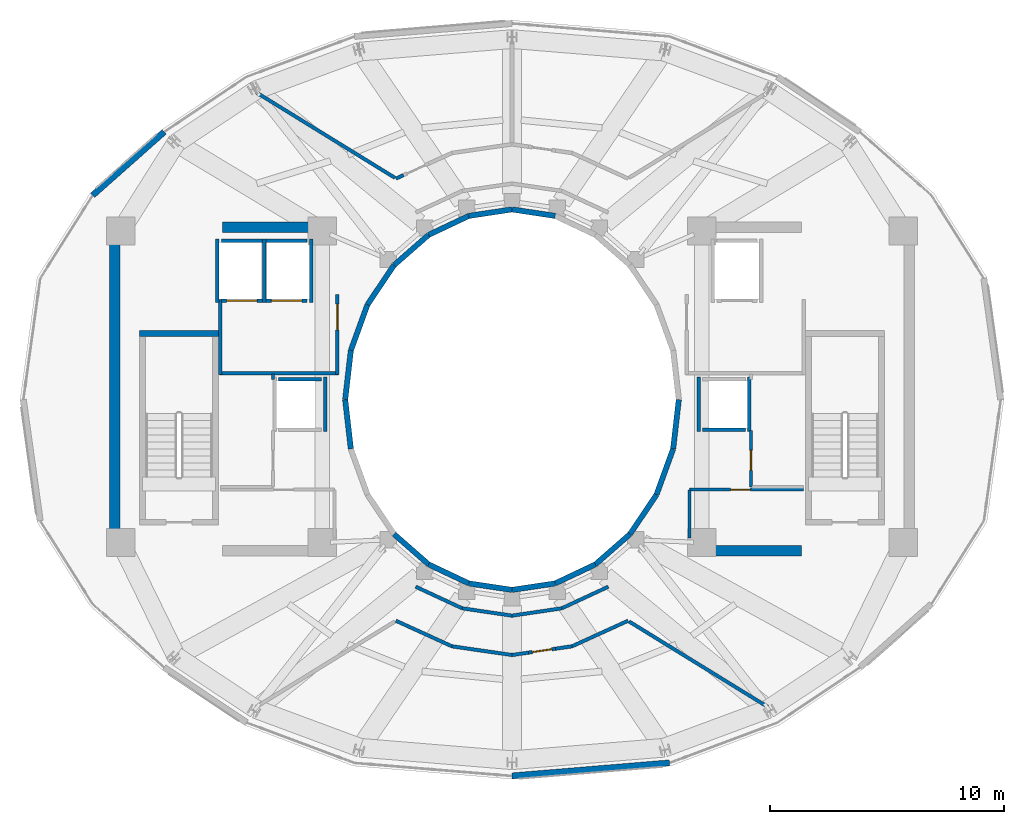
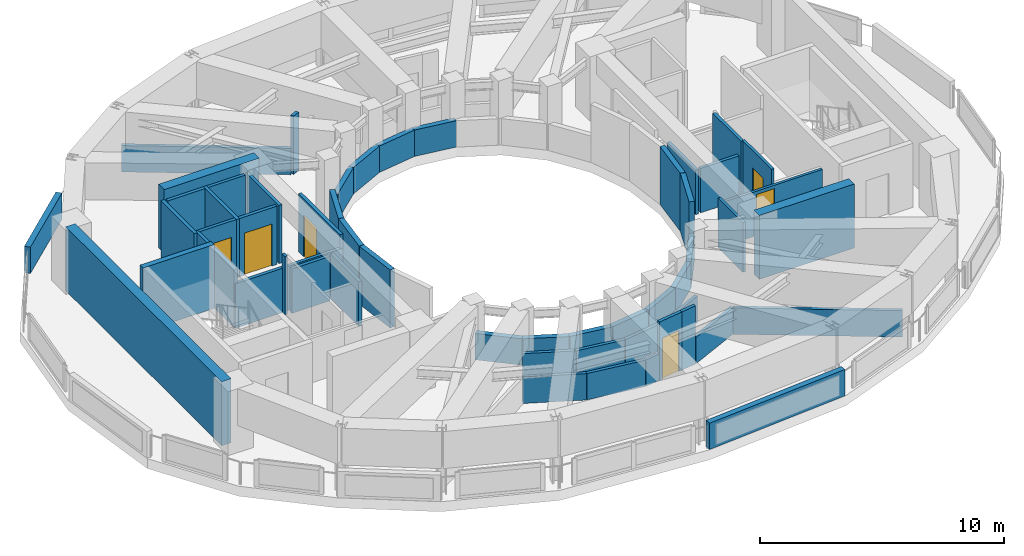
# One storey, part 16 of 21: 55 walls, 6 doors, 6 openings.
"""IFC4 building model written with IfcOpenShell, lengths in metres."""

from ifc_helpers import new_model, si_unit, direction, frame, frame_2d, origin, place, context, subcontext, project, spatial, rectangle, extrude, material, layer, layer_set, type_object, element, fill, save


model = new_model("IFC4")

# Units and contexts
model_context = context("Model", 3, precision=1e-05, world=origin(), true_north=direction((0.0, 1.0)))
body_context = subcontext(model_context, "Body", "Model", "MODEL_VIEW")
ifc_project = project(units=[si_unit("LENGTHUNIT", "METRE"), si_unit("AREAUNIT", "SQUARE_METRE"), si_unit("VOLUMEUNIT", "CUBIC_METRE"), si_unit("PLANEANGLEUNIT", "RADIAN"), si_unit("MASSUNIT", "GRAM", prefix="KILO")], contexts=[model_context])

# Site, building, storey
site_placement = place(None, origin())
site = spatial("IfcSite", under=ifc_project, at=site_placement, CompositionType="ELEMENT")
building_placement = place(site_placement, origin())
building = spatial("IfcBuilding", under=site, at=building_placement, Name="Solvane Sanctuary Tower", CompositionType="ELEMENT")
storey_placement = place(building_placement, frame((0.0, 0.0, 260.39990234375)))
storey = spatial("IfcBuildingStorey", under=building, at=storey_placement, Name="L79", CompositionType="ELEMENT", Elevation=260.39990234375)

# Walls
ifc_material_1 = material(Name="Concrete C50/60", Category="concrete")
ifc_layer_1 = layer(ifc_material_1, 0.449951171875, Name="Concrete C50/60")
ifc_layer_set_1 = layer_set([ifc_layer_1], Name="Concrete C50/60")
wall_type_1 = type_object("IfcWallType", Name="Wall W-CORE-450", PredefinedType="SHEAR", material=ifc_layer_set_1)
wall_1_placement = place(storey_placement, frame((15.050048828125, 17.050048828125, 0.0), z_axis=(0.0, 0.0, 1.0), x_axis=(0.0, 1.0, 0.0)))
element("IfcWall", 1, at=wall_1_placement, inside=storey, type_object=wall_type_1, Name="L79 Core Shear Wall WC-W", PredefinedType="SHEAR", context=body_context, shape_type="SweptSolid", body=[
    extrude(rectangle(XDim=12.800048828125, YDim=0.449951171875, at=frame_2d((6.39990234375, 0.0))), origin(), (0.0, 0.0, 1.0), 3.2001953125),
])
for number, where, z_axis, x_axis, name in (
    (2, (19.64990234375, 30.35009765625, 0.0), (0.0, 0.0, 1.0), (1.0, 0.0, 0.0), "L79 Core Shear Wall WC-N"),
    (3, (39.85009765625, 16.550048828125, 0.0), (0.0, 0.0, 1.0), (1.0, 0.0, 0.0), "L79 Core Shear Wall EC-S"),
):
    element("IfcWall", number, at=place(storey_placement, frame(where, z_axis=z_axis, x_axis=x_axis)), inside=storey, type_object=wall_type_1, Name=name, PredefinedType="SHEAR", context=body_context, shape_type="SweptSolid", body=[
        extrude(rectangle(XDim=4.5, YDim=0.449951171875, at=frame_2d((2.25, 0.0))), origin(), (0.0, 0.0, 1.0), 3.2001953125),
    ])
ifc_material_2 = material(Name="Acoustic Gypsum Partition Board")
ifc_layer_2 = layer(ifc_material_2, 0.14990234375, Name="Acoustic Gypsum Partition Board")
ifc_layer_set_2 = layer_set([ifc_layer_2], Name="Acoustic Gypsum Partition Board")
wall_type_2 = type_object("IfcWallType", Name="Wall W-CORR-150", PredefinedType="PARTITIONING", material=ifc_layer_set_2)
wall_2_placement = place(storey_placement, frame((19.52001953125, 24.1201171875, 0.0), z_axis=(0.0, 0.0, 1.0), x_axis=(1.0, 0.0, 0.0)))
element("IfcWall", 4, at=wall_2_placement, inside=storey, type_object=wall_type_2, Name="L79 West Firefighting Lobby South Wall", PredefinedType="PARTITIONING", context=body_context, shape_type="SweptSolid", body=[
    extrude(rectangle(XDim=5.080078125, YDim=0.14990234375, at=frame_2d((2.5400390625, 0.0))), origin(), (0.0, 0.0, 1.0), 2.22021484375),
])
wall_3_placement = place(storey_placement, frame((19.550048828125, 24.080078125, 0.0), z_axis=(0.0, 0.0, 1.0), x_axis=(0.0, 1.0, 0.0)))
element("IfcWall", 5, at=wall_3_placement, inside=storey, type_object=wall_type_2, Name="L79 West Firefighting Lobby West Wall", PredefinedType="PARTITIONING", context=body_context, shape_type="SweptSolid", body=[
    extrude(rectangle(XDim=3.199951171875, YDim=0.14990234375, at=frame_2d((1.60009765625, 0.0))), origin(), (0.0, 0.0, 1.0), 2.9150390625),
])

# Wall, opening, door
wall_4_placement = place(storey_placement, frame((24.550048828125, 24.080078125, 0.0), z_axis=(0.0, 0.0, 1.0), x_axis=(0.0, 1.0, 0.0)))
wall_4 = element("IfcWall", 6, at=wall_4_placement, inside=storey, type_object=wall_type_2, Name="L79 West Firefighting Lobby East Wall", PredefinedType="PARTITIONING", context=body_context, shape_type="SweptSolid", body=[
    extrude(rectangle(XDim=3.39990234375, YDim=0.14990234375, at=frame_2d((1.699951171875, 0.0))), origin(), (0.0, 0.0, 1.0), 2.9150390625),
])
opening_1_placement = place(wall_4_placement, frame((1.893798828125, 0.0, 0.0)))
opening_1 = element("IfcOpeningElement", 7, at=opening_1_placement, cuts=wall_4, Name="Opening D-L79-03", PredefinedType="OPENING", context=body_context, shape_type="SweptSolid", body=[
    extrude(rectangle(XDim=1.10009765625, YDim=2.10009765625, at=frame_2d((0.550048828125, 1.050048828125))), frame((0.0, 0.0849609375, 0.0), z_axis=(0.0, -1.0, 0.0), x_axis=(1.0, 0.0, 0.0)), (0.0, 0.0, 1.0), 0.169921875),
])
ifc_material_3 = material(Name="Architectural Stainless Steel 316", Category="steel")
door_type_1 = type_object("IfcDoorType", Name="Door D-FFL", OperationType="NOTDEFINED", PredefinedType="DOOR", material=ifc_material_3)
door_1_placement = place(opening_1_placement, origin())
door_1 = element("IfcDoor", 8, at=door_1_placement, inside=storey, type_object=door_type_1, Name="L79 West Firefighting Lobby Fire Door", OperationType="SINGLE_SWING_LEFT", OverallHeight=2.10009765625, OverallWidth=1.10009765625, PredefinedType="DOOR", context=body_context, shape_type="SweptSolid", body=[
    extrude(rectangle(XDim=1.10009765625, YDim=2.10009765625, at=frame_2d((0.550048828125, 1.050048828125))), frame((0.0, 0.02490234375, 0.0), z_axis=(0.0, -1.0, 0.0), x_axis=(1.0, 0.0, 0.0)), (0.0, 0.0, 1.0), 0.050048828125),
])
fill(opening_1, door_1)

# Walls
wall_5_placement = place(storey_placement, frame((27.889892578125, 15.01513671875, 0.0), z_axis=(0.0, 0.0, 1.0), x_axis=(0.906943449489, -0.421252393975, 0.0)))
element("IfcWall", 9, at=wall_5_placement, inside=storey, type_object=wall_type_2, Name="L79 Light-Well Corridor Rim Wall S1", PredefinedType="PARTITIONING", context=body_context, shape_type="SweptSolid", body=[
    extrude(rectangle(XDim=2.18603515625, YDim=0.14990234375, at=frame_2d((1.093017578125, 0.0))), origin(), (0.0, 0.0, 1.0), 1.320068359375),
])
for number, where, z_axis, x_axis, name in (
    (10, (29.87255859375, 14.09423828125, 0.0), (0.0, 0.0, 1.0), (0.989268584896, -0.146108408166, 0.0), "L79 Light-Well Corridor Rim Wall S2"),
    (11, (32.0, 13.780029296875, 0.0), (0.0, 0.0, 1.0), (0.989268584896, 0.146108408166, 0.0), "L79 Light-Well Corridor Rim Wall S3"),
):
    element("IfcWall", number, at=place(storey_placement, frame(where, z_axis=z_axis, x_axis=x_axis)), inside=storey, type_object=wall_type_2, Name=name, PredefinedType="PARTITIONING", context=body_context, shape_type="SweptSolid", body=[
        extrude(rectangle(XDim=2.150634765625, YDim=0.14990234375, at=frame_2d((1.0751953125, 0.0))), origin(), (0.0, 0.0, 1.0), 1.320068359375),
    ])
wall_6_placement = place(storey_placement, frame((34.12744140625, 14.09423828125, 0.0), z_axis=(0.0, 0.0, 1.0), x_axis=(0.906943449489, 0.421252393975, 0.0)))
element("IfcWall", 12, at=wall_6_placement, inside=storey, type_object=wall_type_2, Name="L79 Light-Well Corridor Rim Wall S4", PredefinedType="PARTITIONING", context=body_context, shape_type="SweptSolid", body=[
    extrude(rectangle(XDim=2.18603515625, YDim=0.14990234375, at=frame_2d((1.093017578125, 0.0))), origin(), (0.0, 0.0, 1.0), 1.320068359375),
])
for number, where, z_axis, x_axis, name in (
    (13, (27.003173828125, 32.468505859375, 0.0), (0.0, 0.0, 1.0), (-0.851425368576, 0.524475778035, 0.0), "L79 Mechanical Plant Radial Wall 120"),
    (14, (36.996826171875, 13.531494140625, 0.0), (0.0, 0.0, 1.0), (0.851425368576, -0.524475778035, 0.0), "L79 Mechanical Plant Radial Wall 300"),
):
    element("IfcWall", number, at=place(storey_placement, frame(where, z_axis=z_axis, x_axis=x_axis)), inside=storey, type_object=wall_type_2, Name=name, PredefinedType="PARTITIONING", context=body_context, shape_type="SweptSolid", body=[
        extrude(rectangle(XDim=6.947509765625, YDim=0.14990234375, at=frame_2d((3.4736328125, 0.0))), origin(), (0.0, 0.0, 1.0), 1.320068359375),
    ])
wall_7_placement = place(storey_placement, frame((27.37158203125, 32.58544921875, 0.0), z_axis=(0.0, 0.0, 1.0), x_axis=(-0.909598918169, -0.415487434305, 0.0)))
element("IfcWall", 15, at=wall_7_placement, inside=storey, type_object=wall_type_2, Name="L79 Plant Corridor Wall 2", PredefinedType="PARTITIONING", context=body_context, shape_type="SweptSolid", body=[
    extrude(rectangle(XDim=0.360107421875, YDim=0.14990234375, at=frame_2d((0.18017578125, 0.0))), origin(), (0.0, 0.0, 1.0), 2.9150390625),
])
wall_8_placement = place(storey_placement, frame((27.0439453125, 13.564208984375, 0.0), z_axis=(0.0, 0.0, 1.0), x_axis=(0.909736731002, -0.415185597373, 0.0)))
element("IfcWall", 16, at=wall_8_placement, inside=storey, type_object=wall_type_2, Name="L79 Plant Corridor Wall 3", PredefinedType="PARTITIONING", context=body_context, shape_type="SweptSolid", body=[
    extrude(rectangle(XDim=2.63330078125, YDim=0.14990234375, at=frame_2d((1.316650390625, 0.0))), origin(), (0.0, 0.0, 1.0), 1.320068359375),
])
wall_9_placement = place(storey_placement, frame((29.43603515625, 12.471923828125, 0.0), z_axis=(0.0, 0.0, 1.0), x_axis=(0.989661180186, -0.143425062082, 0.0)))
element("IfcWall", 17, at=wall_9_placement, inside=storey, type_object=wall_type_2, Name="L79 Plant Corridor Wall 3", PredefinedType="PARTITIONING", context=body_context, shape_type="SweptSolid", body=[
    extrude(rectangle(XDim=2.592529296875, YDim=0.14990234375, at=frame_2d((1.29638671875, 0.0))), origin(), (0.0, 0.0, 1.0), 1.320068359375),
])
wall_10_placement = place(storey_placement, frame((31.998291015625, 12.10009765625, 0.0), z_axis=(0.0, 0.0, 1.0), x_axis=(0.989700813976, 0.143151314404, 0.0)))
element("IfcWall", 18, at=wall_10_placement, inside=storey, type_object=wall_type_2, Name="L79 Plant Corridor Wall 3", PredefinedType="PARTITIONING", context=body_context, shape_type="SweptSolid", body=[
    extrude(rectangle(XDim=0.711181640625, YDim=0.14990234375, at=frame_2d((0.35546875, 0.0))), origin(), (0.0, 0.0, 1.0), 1.320068359375),
])

# Wall, opening, door
wall_11_placement = place(storey_placement, frame((32.7021484375, 12.201904296875, 0.0), z_axis=(0.0, 0.0, 1.0), x_axis=(0.989642563126, 0.143553464776, 0.0)))
wall_11 = element("IfcWall", 19, at=wall_11_placement, inside=storey, type_object=wall_type_2, Name="L79 Plant Corridor Wall 3", PredefinedType="PARTITIONING", context=body_context, shape_type="SweptSolid", body=[
    extrude(rectangle(XDim=1.170166015625, YDim=0.14990234375, at=frame_2d((0.5849609375, 0.0))), origin(), (0.0, 0.0, 1.0), 2.9150390625),
])
opening_2_placement = place(wall_11_placement, frame((0.159912109375, 0.0, 0.0)))
opening_2 = element("IfcOpeningElement", 20, at=opening_2_placement, cuts=wall_11, Name="Opening D-L79-11", PredefinedType="OPENING", context=body_context, shape_type="SweptSolid", body=[
    extrude(rectangle(XDim=0.85009765625, YDim=2.050048828125, at=frame_2d((0.425048828125, 1.02490234375))), frame((0.0, 0.0849609375, 0.0), z_axis=(0.0, -1.0, 0.0), x_axis=(1.0, 0.0, 0.0)), (0.0, 0.0, 1.0), 0.169921875),
])
door_type_2 = type_object("IfcDoorType", Name="Door D-RISER", OperationType="NOTDEFINED", PredefinedType="DOOR", material=ifc_material_3)
door_2_placement = place(opening_2_placement, origin())
door_2 = element("IfcDoor", 21, at=door_2_placement, inside=storey, type_object=door_type_2, Name="L79 Plant Room Door 3", OperationType="SINGLE_SWING_LEFT", OverallHeight=2.050048828125, OverallWidth=0.85009765625, PredefinedType="DOOR", context=body_context, shape_type="SweptSolid", body=[
    extrude(rectangle(XDim=0.85009765625, YDim=2.050048828125, at=frame_2d((0.425048828125, 1.02490234375))), frame((0.0, 0.02490234375, 0.0), z_axis=(0.0, -1.0, 0.0), x_axis=(1.0, 0.0, 0.0)), (0.0, 0.0, 1.0), 0.050048828125),
])
fill(opening_2, door_2)

# Walls
wall_12_placement = place(storey_placement, frame((33.860107421875, 12.369873046875, 0.0), z_axis=(0.0, 0.0, 1.0), x_axis=(0.989652123174, 0.143487543353, 0.0)))
element("IfcWall", 22, at=wall_12_placement, inside=storey, type_object=wall_type_2, Name="L79 Plant Corridor Wall 3", PredefinedType="PARTITIONING", context=body_context, shape_type="SweptSolid", body=[
    extrude(rectangle(XDim=0.711181640625, YDim=0.14990234375, at=frame_2d((0.35546875, 0.0))), origin(), (0.0, 0.0, 1.0), 2.9150390625),
])
wall_13_placement = place(storey_placement, frame((34.560546875, 12.470947265625, 0.0), z_axis=(0.0, 0.0, 1.0), x_axis=(0.909736731002, 0.415185597373, 0.0)))
element("IfcWall", 23, at=wall_13_placement, inside=storey, type_object=wall_type_2, Name="L79 Plant Corridor Wall 3", PredefinedType="PARTITIONING", context=body_context, shape_type="SweptSolid", body=[
    extrude(rectangle(XDim=2.63330078125, YDim=0.14990234375, at=frame_2d((1.316650390625, 0.0))), origin(), (0.0, 0.0, 1.0), 1.320068359375),
])
ifc_material_4 = material(Name="Precast concrete C40/50", Category="concrete")
ifc_layer_3 = layer(ifc_material_4, 0.260009765625, Name="Precast concrete C40/50")
ifc_layer_set_3 = layer_set([ifc_layer_3], Name="Precast concrete C40/50")
wall_type_3 = type_object("IfcWallType", Name="Wall W-EXT-250", PredefinedType="STANDARD", material=ifc_layer_set_3)
wall_14_placement = place(storey_placement, frame((17.154052734375, 34.429931640625, 0.0), z_axis=(0.0, 0.0, 1.0), x_axis=(-0.74835503106, -0.663298384958, 0.0)))
element("IfcWall", 24, at=wall_14_placement, inside=storey, type_object=wall_type_3, Name="L79 Crown Acoustic Louvred Wall 09", PredefinedType="STANDARD", context=body_context, shape_type="SweptSolid", body=[
    extrude(rectangle(XDim=4.08447265625, YDim=0.260009765625, at=frame_2d((2.042236328125, 0.0))), origin(), (0.0, 0.0, 1.0), 1.320068359375),
])
wall_15_placement = place(storey_placement, frame((32.0, 6.93994140625, 0.0), z_axis=(0.0, 0.0, 1.0), x_axis=(0.99660839131, 0.082290426963, 0.0)))
element("IfcWall", 25, at=wall_15_placement, inside=storey, type_object=wall_type_3, Name="L79 Crown Acoustic Louvred Wall 18", PredefinedType="STANDARD", context=body_context, shape_type="SweptSolid", body=[
    extrude(rectangle(XDim=6.74365234375, YDim=0.260009765625, at=frame_2d((3.371826171875, 0.0))), origin(), (0.0, 0.0, 1.0), 1.320068359375),
])
ifc_layer_4 = layer(ifc_material_4, 0.22998046875, Name="Precast concrete C40/50")
ifc_layer_set_4 = layer_set([ifc_layer_4], Name="Precast concrete C40/50")
wall_type_4 = type_object("IfcWallType", Name="Wall W-EXT-SP220", PredefinedType="STANDARD", material=ifc_layer_set_4)
for number, where, z_axis, x_axis, name in (
    (26, (33.8427734375, 30.84326171875, 0.0), (0.0, 0.0, 1.0), (-0.988901730308, 0.148571086668, 0.0), "L79 Central Light-Well Wall 05"),
    (27, (32.0, 31.1201171875, 0.0), (0.0, 0.0, 1.0), (-0.988901730308, -0.148571086668, 0.0), "L79 Central Light-Well Wall 06"),
):
    element("IfcWall", number, at=place(storey_placement, frame(where, z_axis=z_axis, x_axis=x_axis)), inside=storey, type_object=wall_type_4, Name=name, PredefinedType="STANDARD", context=body_context, shape_type="SweptSolid", body=[
        extrude(rectangle(XDim=1.863525390625, YDim=0.22998046875, at=frame_2d((0.931640625, 0.0))), origin(), (0.0, 0.0, 1.0), 1.320068359375),
    ])
wall_16_placement = place(storey_placement, frame((30.1572265625, 30.84326171875, 0.0), z_axis=(0.0, 0.0, 1.0), x_axis=(-0.904179699603, -0.427152280606, 0.0)))
element("IfcWall", 28, at=wall_16_placement, inside=storey, type_object=wall_type_4, Name="L79 Central Light-Well Wall 07", PredefinedType="STANDARD", context=body_context, shape_type="SweptSolid", body=[
    extrude(rectangle(XDim=1.899169921875, YDim=0.22998046875, at=frame_2d((0.94970703125, 0.0))), origin(), (0.0, 0.0, 1.0), 1.320068359375),
])
wall_17_placement = place(storey_placement, frame((28.43994140625, 30.031982421875, 0.0), z_axis=(0.0, 0.0, 1.0), x_axis=(-0.752576694707, -0.658504607869, 0.0)))
element("IfcWall", 29, at=wall_17_placement, inside=storey, type_object=wall_type_4, Name="L79 Central Light-Well Wall 08", PredefinedType="STANDARD", context=body_context, shape_type="SweptSolid", body=[
    extrude(rectangle(XDim=1.95947265625, YDim=0.22998046875, at=frame_2d((0.979736328125, 0.0))), origin(), (0.0, 0.0, 1.0), 1.320068359375),
])
wall_18_placement = place(storey_placement, frame((26.96533203125, 28.74169921875, 0.0), z_axis=(0.0, 0.0, 1.0), x_axis=(-0.558197800898, -0.829707909492, 0.0)))
element("IfcWall", 30, at=wall_18_placement, inside=storey, type_object=wall_type_4, Name="L79 Central Light-Well Wall 09", PredefinedType="STANDARD", context=body_context, shape_type="SweptSolid", body=[
    extrude(rectangle(XDim=2.02685546875, YDim=0.22998046875, at=frame_2d((1.013427734375, 0.0))), origin(), (0.0, 0.0, 1.0), 1.320068359375),
])
wall_19_placement = place(storey_placement, frame((25.833984375, 27.06005859375, 0.0), z_axis=(0.0, 0.0, 1.0), x_axis=(-0.341423187295, -0.93990968033, 0.0)))
element("IfcWall", 31, at=wall_19_placement, inside=storey, type_object=wall_type_4, Name="L79 Central Light-Well Wall 10", PredefinedType="STANDARD", context=body_context, shape_type="SweptSolid", body=[
    extrude(rectangle(XDim=2.083740234375, YDim=0.22998046875, at=frame_2d((1.0419921875, 0.0))), origin(), (0.0, 0.0, 1.0), 2.900146484375),
])
for number, where, z_axis, x_axis, name in (
    (32, (25.12255859375, 25.1015625, 0.0), (0.0, 0.0, 1.0), (-0.114711713601, -0.993398823617, 0.0), "L79 Central Light-Well Wall 11"),
    (33, (24.8798828125, 23.0, 0.0), (0.0, 0.0, 1.0), (0.114711713601, -0.993398823617, 0.0), "L79 Central Light-Well Wall 12"),
):
    element("IfcWall", number, at=place(storey_placement, frame(where, z_axis=z_axis, x_axis=x_axis)), inside=storey, type_object=wall_type_4, Name=name, PredefinedType="STANDARD", context=body_context, shape_type="SweptSolid", body=[
        extrude(rectangle(XDim=2.115478515625, YDim=0.22998046875, at=frame_2d((1.0576171875, 0.0))), origin(), (0.0, 0.0, 1.0), 2.900146484375),
    ])
wall_20_placement = place(storey_placement, frame((26.96533203125, 17.25830078125, 0.0), z_axis=(0.0, 0.0, 1.0), x_axis=(0.752576694707, -0.658504607869, 0.0)))
element("IfcWall", 34, at=wall_20_placement, inside=storey, type_object=wall_type_4, Name="L79 Central Light-Well Wall 15", PredefinedType="STANDARD", context=body_context, shape_type="SweptSolid", body=[
    extrude(rectangle(XDim=1.95947265625, YDim=0.22998046875, at=frame_2d((0.979736328125, 0.0))), origin(), (0.0, 0.0, 1.0), 1.320068359375),
])
wall_21_placement = place(storey_placement, frame((28.43994140625, 15.968017578125, 0.0), z_axis=(0.0, 0.0, 1.0), x_axis=(0.904179699603, -0.427152280606, 0.0)))
element("IfcWall", 35, at=wall_21_placement, inside=storey, type_object=wall_type_4, Name="L79 Central Light-Well Wall 16", PredefinedType="STANDARD", context=body_context, shape_type="SweptSolid", body=[
    extrude(rectangle(XDim=1.899169921875, YDim=0.22998046875, at=frame_2d((0.94970703125, 0.0))), origin(), (0.0, 0.0, 1.0), 1.320068359375),
])
for number, where, z_axis, x_axis, name in (
    (36, (30.1572265625, 15.15673828125, 0.0), (0.0, 0.0, 1.0), (0.988901730308, -0.148571086668, 0.0), "L79 Central Light-Well Wall 17"),
    (37, (32.0, 14.8798828125, 0.0), (0.0, 0.0, 1.0), (0.988901730308, 0.148571086668, 0.0), "L79 Central Light-Well Wall 18"),
):
    element("IfcWall", number, at=place(storey_placement, frame(where, z_axis=z_axis, x_axis=x_axis)), inside=storey, type_object=wall_type_4, Name=name, PredefinedType="STANDARD", context=body_context, shape_type="SweptSolid", body=[
        extrude(rectangle(XDim=1.863525390625, YDim=0.22998046875, at=frame_2d((0.931640625, 0.0))), origin(), (0.0, 0.0, 1.0), 1.320068359375),
    ])
wall_22_placement = place(storey_placement, frame((33.8427734375, 15.15673828125, 0.0), z_axis=(0.0, 0.0, 1.0), x_axis=(0.904179699603, 0.427152280606, 0.0)))
element("IfcWall", 38, at=wall_22_placement, inside=storey, type_object=wall_type_4, Name="L79 Central Light-Well Wall 19", PredefinedType="STANDARD", context=body_context, shape_type="SweptSolid", body=[
    extrude(rectangle(XDim=1.899169921875, YDim=0.22998046875, at=frame_2d((0.94970703125, 0.0))), origin(), (0.0, 0.0, 1.0), 1.320068359375),
])
wall_23_placement = place(storey_placement, frame((35.56005859375, 15.968017578125, 0.0), z_axis=(0.0, 0.0, 1.0), x_axis=(0.752576694707, 0.658504607869, 0.0)))
element("IfcWall", 39, at=wall_23_placement, inside=storey, type_object=wall_type_4, Name="L79 Central Light-Well Wall 20", PredefinedType="STANDARD", context=body_context, shape_type="SweptSolid", body=[
    extrude(rectangle(XDim=1.95947265625, YDim=0.22998046875, at=frame_2d((0.979736328125, 0.0))), origin(), (0.0, 0.0, 1.0), 1.320068359375),
])
wall_24_placement = place(storey_placement, frame((37.03466796875, 17.25830078125, 0.0), z_axis=(0.0, 0.0, 1.0), x_axis=(0.558197800898, 0.829707909492, 0.0)))
element("IfcWall", 40, at=wall_24_placement, inside=storey, type_object=wall_type_4, Name="L79 Central Light-Well Wall 21", PredefinedType="STANDARD", context=body_context, shape_type="SweptSolid", body=[
    extrude(rectangle(XDim=2.02685546875, YDim=0.22998046875, at=frame_2d((1.013427734375, 0.0))), origin(), (0.0, 0.0, 1.0), 1.320068359375),
])
wall_25_placement = place(storey_placement, frame((38.166015625, 18.93994140625, 0.0), z_axis=(0.0, 0.0, 1.0), x_axis=(0.341423187295, 0.93990968033, 0.0)))
element("IfcWall", 41, at=wall_25_placement, inside=storey, type_object=wall_type_4, Name="L79 Central Light-Well Wall 22", PredefinedType="STANDARD", context=body_context, shape_type="SweptSolid", body=[
    extrude(rectangle(XDim=2.083740234375, YDim=0.22998046875, at=frame_2d((1.0419921875, 0.0))), origin(), (0.0, 0.0, 1.0), 2.900146484375),
])
wall_26_placement = place(storey_placement, frame((38.87744140625, 20.8984375, 0.0), z_axis=(0.0, 0.0, 1.0), x_axis=(0.114711713601, 0.993398823617, 0.0)))
element("IfcWall", 42, at=wall_26_placement, inside=storey, type_object=wall_type_4, Name="L79 Central Light-Well Wall 23", PredefinedType="STANDARD", context=body_context, shape_type="SweptSolid", body=[
    extrude(rectangle(XDim=2.115478515625, YDim=0.22998046875, at=frame_2d((1.0576171875, 0.0))), origin(), (0.0, 0.0, 1.0), 2.900146484375),
])

# Wall, opening, door
ifc_layer_5 = layer(ifc_material_2, 0.125, Name="Acoustic Gypsum Partition Board")
ifc_layer_set_5 = layer_set([ifc_layer_5], Name="Acoustic Gypsum Partition Board")
wall_type_5 = type_object("IfcWallType", Name="Wall W-PART-125", PredefinedType="PARTITIONING", material=ifc_layer_set_5)
wall_27_placement = place(storey_placement, frame((39.580078125, 19.159912109375, 0.0), z_axis=(0.0, 0.0, 1.0), x_axis=(1.0, 0.0, 0.0)))
wall_27 = element("IfcWall", 43, at=wall_27_placement, inside=storey, type_object=wall_type_5, Name="L79 Reclaimed Room Partition PLE", PredefinedType="PARTITIONING", context=body_context, shape_type="SweptSolid", body=[
    extrude(rectangle(XDim=4.869873046875, YDim=0.125, at=frame_2d((2.43505859375, 0.0))), origin(), (0.0, 0.0, 1.0), 2.22021484375),
])
opening_3_placement = place(wall_27_placement, frame((1.748291015625, 0.0, 0.0)))
opening_3 = element("IfcOpeningElement", 44, at=opening_3_placement, cuts=wall_27, Name="Opening D-L79-06", PredefinedType="OPENING", context=body_context, shape_type="SweptSolid", body=[
    extrude(rectangle(XDim=0.85009765625, YDim=2.050048828125, at=frame_2d((0.425048828125, 1.02490234375))), frame((0.0, 0.072509765625, 0.0), z_axis=(0.0, -1.0, 0.0), x_axis=(1.0, 0.0, 0.0)), (0.0, 0.0, 1.0), 0.14501953125),
])
door_3_placement = place(opening_3_placement, origin())
door_3 = element("IfcDoor", 45, at=door_3_placement, inside=storey, type_object=door_type_2, Name="L79 Reclaimed Room Door PLE-1", OperationType="SINGLE_SWING_RIGHT", OverallHeight=2.050048828125, OverallWidth=0.85009765625, PredefinedType="DOOR", context=body_context, shape_type="SweptSolid", body=[
    extrude(rectangle(XDim=0.85009765625, YDim=2.050048828125, at=frame_2d((0.425048828125, 1.02490234375))), frame((0.0, 0.02490234375, 0.0), z_axis=(0.0, -1.0, 0.0), x_axis=(1.0, 0.0, 0.0)), (0.0, 0.0, 1.0), 0.050048828125),
])
fill(opening_3, door_3)

# Walls
wall_28_placement = place(storey_placement, frame((39.580078125, 17.10009765625, 0.0), z_axis=(0.0, 0.0, 1.0), x_axis=(0.0, 1.0, 0.0)))
element("IfcWall", 46, at=wall_28_placement, inside=storey, type_object=wall_type_5, Name="L79 Reclaimed Room Closer Wall PLE-1", PredefinedType="PARTITIONING", context=body_context, shape_type="SweptSolid", body=[
    extrude(rectangle(XDim=2.039794921875, YDim=0.125, at=frame_2d((1.02001953125, 0.0))), origin(), (0.0, 0.0, 1.0), 2.4912109375),
])
wall_29_placement = place(storey_placement, frame((21.800048828125, 23.85009765625, 0.0), z_axis=(0.0, 0.0, 1.0), x_axis=(0.0, 1.0, 0.0)))
element("IfcWall", 47, at=wall_29_placement, inside=storey, type_object=wall_type_5, Name="L79 Reclaimed Room Dividing Wall PMW", PredefinedType="PARTITIONING", context=body_context, shape_type="SweptSolid", body=[
    extrude(rectangle(XDim=0.25, YDim=0.125, at=frame_2d((0.125, 0.0))), origin(), (0.0, 0.0, 1.0), 2.9150390625),
])

# Wall, opening, door
wall_30_placement = place(storey_placement, frame((42.199951171875, 19.280029296875, 0.0), z_axis=(0.0, 0.0, 1.0), x_axis=(0.0, 1.0, 0.0)))
wall_30 = element("IfcWall", 48, at=wall_30_placement, inside=storey, type_object=wall_type_5, Name="L79 Reclaimed Room Partition PME", PredefinedType="PARTITIONING", context=body_context, shape_type="SweptSolid", body=[
    extrude(rectangle(XDim=2.39990234375, YDim=0.125, at=frame_2d((1.199951171875, 0.0))), origin(), (0.0, 0.0, 1.0), 2.9150390625),
])
opening_4_placement = place(wall_30_placement, frame((0.699951171875, 0.0, 0.0)))
opening_4 = element("IfcOpeningElement", 49, at=opening_4_placement, cuts=wall_30, Name="Opening D-L79-08", PredefinedType="OPENING", context=body_context, shape_type="SweptSolid", body=[
    extrude(rectangle(XDim=0.85009765625, YDim=2.050048828125, at=frame_2d((0.425048828125, 1.02490234375))), frame((0.0, 0.072509765625, 0.0), z_axis=(0.0, -1.0, 0.0), x_axis=(1.0, 0.0, 0.0)), (0.0, 0.0, 1.0), 0.14501953125),
])
door_4_placement = place(opening_4_placement, origin())
door_4 = element("IfcDoor", 50, at=door_4_placement, inside=storey, type_object=door_type_2, Name="L79 Reclaimed Room Door PME-1", OperationType="SINGLE_SWING_RIGHT", OverallHeight=2.050048828125, OverallWidth=0.85009765625, PredefinedType="DOOR", context=body_context, shape_type="SweptSolid", body=[
    extrude(rectangle(XDim=0.85009765625, YDim=2.050048828125, at=frame_2d((0.425048828125, 1.02490234375))), frame((0.0, 0.02490234375, 0.0), z_axis=(0.0, -1.0, 0.0), x_axis=(1.0, 0.0, 0.0)), (0.0, 0.0, 1.0), 0.050048828125),
])
fill(opening_4, door_4)

# Walls
ifc_layer_6 = layer(ifc_material_1, 0.14990234375, Name="Concrete C50/60")
ifc_layer_set_6 = layer_set([ifc_layer_6], Name="Concrete C50/60")
wall_type_6 = type_object("IfcWallType", Name="Wall W-SHAFT-150", PredefinedType="SOLIDWALL", material=ifc_layer_set_6)
wall_31_placement = place(storey_placement, frame((22.0400390625, 23.8798828125, 0.0), z_axis=(0.0, 0.0, 1.0), x_axis=(1.0, 0.0, 0.0)))
element("IfcWall", 51, at=wall_31_placement, inside=storey, type_object=wall_type_6, Name="L79 PH-1 Lift Shaft Wall B", PredefinedType="SOLIDWALL", context=body_context, shape_type="SweptSolid", body=[
    extrude(rectangle(XDim=1.820068359375, YDim=0.14990234375, at=frame_2d((0.91015625, 0.0))), origin(), (0.0, 0.0, 1.0), 2.22021484375),
])
wall_32_placement = place(storey_placement, frame((24.030029296875, 21.639892578125, 0.0), z_axis=(0.0, 0.0, 1.0), x_axis=(0.0, 1.0, 0.0)))
element("IfcWall", 52, at=wall_32_placement, inside=storey, type_object=wall_type_6, Name="L79 PH-1 Lift Shaft Wall S2", PredefinedType="SOLIDWALL", context=body_context, shape_type="SweptSolid", body=[
    extrude(rectangle(XDim=2.320068359375, YDim=0.14990234375, at=frame_2d((1.16015625, 0.0))), origin(), (0.0, 0.0, 1.0), 2.22021484375),
])
wall_33_placement = place(storey_placement, frame((40.139892578125, 21.719970703125, 0.0), z_axis=(0.0, 0.0, 1.0), x_axis=(1.0, 0.0, 0.0)))
element("IfcWall", 53, at=wall_33_placement, inside=storey, type_object=wall_type_6, Name="L79 PH-2 Lift Shaft Wall F", PredefinedType="SOLIDWALL", context=body_context, shape_type="SweptSolid", body=[
    extrude(rectangle(XDim=1.820068359375, YDim=0.14990234375, at=frame_2d((0.91015625, 0.0))), origin(), (0.0, 0.0, 1.0), 2.22021484375),
])
wall_34_placement = place(storey_placement, frame((39.969970703125, 21.639892578125, 0.0), z_axis=(0.0, 0.0, 1.0), x_axis=(0.0, 1.0, 0.0)))
element("IfcWall", 54, at=wall_34_placement, inside=storey, type_object=wall_type_6, Name="L79 PH-2 Lift Shaft Wall S1", PredefinedType="SOLIDWALL", context=body_context, shape_type="SweptSolid", body=[
    extrude(rectangle(XDim=2.320068359375, YDim=0.14990234375, at=frame_2d((1.16015625, 0.0))), origin(), (0.0, 0.0, 1.0), 2.22021484375),
])
wall_35_placement = place(storey_placement, frame((42.1298828125, 21.639892578125, 0.0), z_axis=(0.0, 0.0, 1.0), x_axis=(0.0, 1.0, 0.0)))
element("IfcWall", 55, at=wall_35_placement, inside=storey, type_object=wall_type_6, Name="L79 PH-2 Lift Shaft Wall S2", PredefinedType="SOLIDWALL", context=body_context, shape_type="SweptSolid", body=[
    extrude(rectangle(XDim=2.320068359375, YDim=0.14990234375, at=frame_2d((1.16015625, 0.0))), origin(), (0.0, 0.0, 1.0), 2.9150390625),
])

# Wall, opening, door
wall_36_placement = place(storey_placement, frame((19.590087890625, 27.219970703125, 0.0), z_axis=(0.0, 0.0, 1.0), x_axis=(1.0, 0.0, 0.0)))
wall_36 = element("IfcWall", 56, at=wall_36_placement, inside=storey, type_object=wall_type_6, Name="L79 FFL-1 Lift Shaft Wall F", PredefinedType="SOLIDWALL", context=body_context, shape_type="SweptSolid", body=[
    extrude(rectangle(XDim=1.760009765625, YDim=0.14990234375, at=frame_2d((0.8798828125, 0.0))), origin(), (0.0, 0.0, 1.0), 2.9150390625),
])
opening_5_placement = place(wall_36_placement, frame((0.22998046875, 0.0, 0.0)))
opening_5 = element("IfcOpeningElement", 57, at=opening_5_placement, cuts=wall_36, Name="Opening LD-L79-01", PredefinedType="OPENING", context=body_context, shape_type="SweptSolid", body=[
    extrude(rectangle(XDim=1.300048828125, YDim=2.10009765625, at=frame_2d((0.64990234375, 1.050048828125))), frame((0.0, 0.0849609375, 0.0), z_axis=(0.0, -1.0, 0.0), x_axis=(1.0, 0.0, 0.0)), (0.0, 0.0, 1.0), 0.169921875),
])
door_type_3 = type_object("IfcDoorType", Name="Door LD-FFL-1300", OperationType="NOTDEFINED", PredefinedType="DOOR", material=ifc_material_3)
door_5_placement = place(opening_5_placement, origin())
door_5 = element("IfcDoor", 58, at=door_5_placement, inside=storey, type_object=door_type_3, Name="L79 FFL-1 Lift Landing Door", OperationType="DOUBLE_DOOR_SLIDING", OverallHeight=2.10009765625, OverallWidth=1.300048828125, PredefinedType="DOOR", context=body_context, shape_type="SweptSolid", body=[
    extrude(rectangle(XDim=1.300048828125, YDim=2.10009765625, at=frame_2d((0.64990234375, 1.050048828125))), frame((0.0, 0.02490234375, 0.0), z_axis=(0.0, -1.0, 0.0), x_axis=(1.0, 0.0, 0.0)), (0.0, 0.0, 1.0), 0.050048828125),
])
fill(opening_5, door_5)

# Walls
wall_37_placement = place(storey_placement, frame((19.590087890625, 29.780029296875, 0.0), z_axis=(0.0, 0.0, 1.0), x_axis=(1.0, 0.0, 0.0)))
element("IfcWall", 59, at=wall_37_placement, inside=storey, type_object=wall_type_6, Name="L79 FFL-1 Lift Shaft Wall B", PredefinedType="SOLIDWALL", context=body_context, shape_type="SweptSolid", body=[
    extrude(rectangle(XDim=1.760009765625, YDim=0.14990234375, at=frame_2d((0.8798828125, 0.0))), origin(), (0.0, 0.0, 1.0), 2.9150390625),
])
for number, where, z_axis, x_axis, name in (
    (60, (19.419921875, 27.139892578125, 0.0), (0.0, 0.0, 1.0), (0.0, 1.0, 0.0), "L79 FFL-1 Lift Shaft Wall S1"),
    (61, (21.425048828125, 27.139892578125, 0.0), (0.0, 0.0, 1.0), (0.0, 1.0, 0.0), "L79 FFL-1 Lift Shaft Wall S2"),
):
    element("IfcWall", number, at=place(storey_placement, frame(where, z_axis=z_axis, x_axis=x_axis)), inside=storey, type_object=wall_type_6, Name=name, PredefinedType="SOLIDWALL", context=body_context, shape_type="SweptSolid", body=[
        extrude(rectangle(XDim=2.72021484375, YDim=0.14990234375, at=frame_2d((1.360107421875, 0.0))), origin(), (0.0, 0.0, 1.0), 2.9150390625),
    ])

# Wall, opening, door
wall_38_placement = place(storey_placement, frame((21.5, 27.219970703125, 0.0), z_axis=(0.0, 0.0, 1.0), x_axis=(1.0, 0.0, 0.0)))
wall_38 = element("IfcWall", 62, at=wall_38_placement, inside=storey, type_object=wall_type_6, Name="L79 SVL-1 Lift Shaft Wall F", PredefinedType="SOLIDWALL", context=body_context, shape_type="SweptSolid", body=[
    extrude(rectangle(XDim=1.760009765625, YDim=0.14990234375, at=frame_2d((0.8798828125, 0.0))), origin(), (0.0, 0.0, 1.0), 2.9150390625),
])
opening_6_placement = place(wall_38_placement, frame((0.22998046875, 0.0, 0.0)))
opening_6 = element("IfcOpeningElement", 63, at=opening_6_placement, cuts=wall_38, Name="Opening LD-L79-02", PredefinedType="OPENING", context=body_context, shape_type="SweptSolid", body=[
    extrude(rectangle(XDim=1.300048828125, YDim=2.10009765625, at=frame_2d((0.64990234375, 1.050048828125))), frame((0.0, 0.0849609375, 0.0), z_axis=(0.0, -1.0, 0.0), x_axis=(1.0, 0.0, 0.0)), (0.0, 0.0, 1.0), 0.169921875),
])
door_6_placement = place(opening_6_placement, origin())
door_6 = element("IfcDoor", 64, at=door_6_placement, inside=storey, type_object=door_type_3, Name="L79 SVL-1 Lift Landing Door", OperationType="DOUBLE_DOOR_SLIDING", OverallHeight=2.10009765625, OverallWidth=1.300048828125, PredefinedType="DOOR", context=body_context, shape_type="SweptSolid", body=[
    extrude(rectangle(XDim=1.300048828125, YDim=2.10009765625, at=frame_2d((0.64990234375, 1.050048828125))), frame((0.0, 0.02490234375, 0.0), z_axis=(0.0, -1.0, 0.0), x_axis=(1.0, 0.0, 0.0)), (0.0, 0.0, 1.0), 0.050048828125),
])
fill(opening_6, door_6)

# Walls
wall_39_placement = place(storey_placement, frame((21.5, 29.780029296875, 0.0), z_axis=(0.0, 0.0, 1.0), x_axis=(1.0, 0.0, 0.0)))
element("IfcWall", 65, at=wall_39_placement, inside=storey, type_object=wall_type_6, Name="L79 SVL-1 Lift Shaft Wall B", PredefinedType="SOLIDWALL", context=body_context, shape_type="SweptSolid", body=[
    extrude(rectangle(XDim=1.760009765625, YDim=0.14990234375, at=frame_2d((0.8798828125, 0.0))), origin(), (0.0, 0.0, 1.0), 2.9150390625),
])
wall_40_placement = place(storey_placement, frame((23.429931640625, 27.139892578125, 0.0), z_axis=(0.0, 0.0, 1.0), x_axis=(0.0, 1.0, 0.0)))
element("IfcWall", 66, at=wall_40_placement, inside=storey, type_object=wall_type_6, Name="L79 SVL-1 Lift Shaft Wall S2", PredefinedType="SOLIDWALL", context=body_context, shape_type="SweptSolid", body=[
    extrude(rectangle(XDim=2.72021484375, YDim=0.14990234375, at=frame_2d((1.360107421875, 0.0))), origin(), (0.0, 0.0, 1.0), 2.9150390625),
])
ifc_layer_7 = layer(ifc_material_1, 0.25, Name="Concrete C50/60")
ifc_layer_set_7 = layer_set([ifc_layer_7], Name="Concrete C50/60")
wall_type_7 = type_object("IfcWallType", Name="Wall W-SHAFT-250", PredefinedType="SOLIDWALL", material=ifc_layer_set_7)
wall_41_placement = place(storey_placement, frame((16.10498046875, 25.830078125, 0.0), z_axis=(0.0, 0.0, 1.0), x_axis=(1.0, 0.0, 0.0)))
element("IfcWall", 67, at=wall_41_placement, inside=storey, type_object=wall_type_7, Name="L79 ST-1 Load-Bearing Shaft Wall N", PredefinedType="SOLIDWALL", context=body_context, shape_type="SweptSolid", body=[
    extrude(rectangle(XDim=3.3701171875, YDim=0.25, at=frame_2d((1.68505859375, 0.0))), origin(), (0.0, 0.0, 1.0), 3.2001953125),
])

save(model, "model.ifc")
